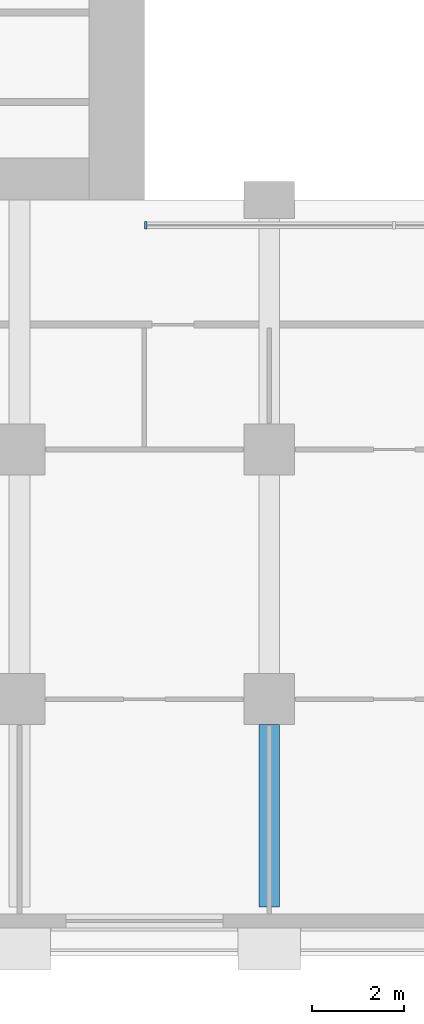
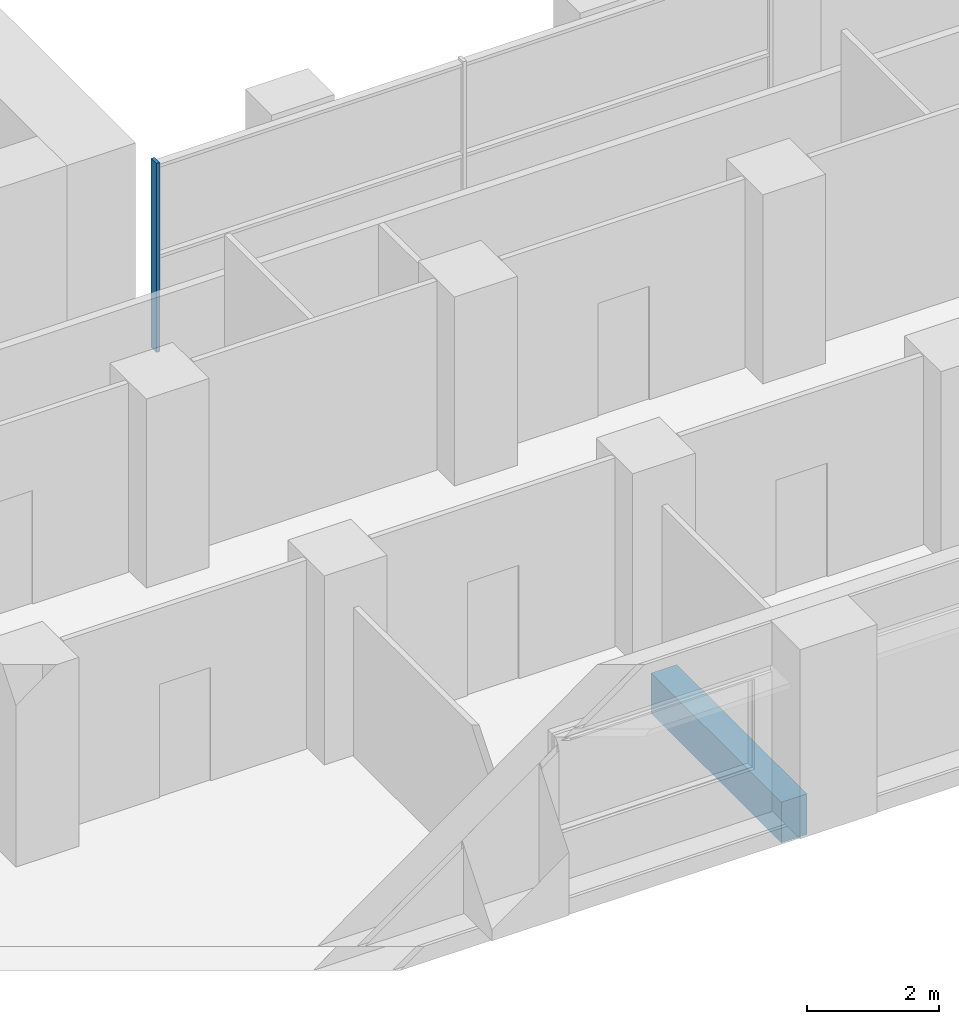
# One storey, part 2 of 14: 1 beam, 1 member, 1 element without a shape of its own.
"""IFC4 building model written with IfcOpenShell, lengths in metres."""

from ifc_helpers import new_model, si_unit, direction, frame, origin, origin_2d, place, context, subcontext, project, spatial, rectangle, extrude, material, material_profile, profile_set, type_object, element, aggregate, save


model = new_model("IFC4")

# Units and contexts
model_context = context("Model", 3, precision=1e-05, world=origin(), true_north=direction((0.0, 1.0)))
body_context = subcontext(model_context, "Body", "Model", "MODEL_VIEW")
ifc_project = project(units=[si_unit("LENGTHUNIT", "METRE"), si_unit("AREAUNIT", "SQUARE_METRE"), si_unit("VOLUMEUNIT", "CUBIC_METRE"), si_unit("PLANEANGLEUNIT", "RADIAN"), si_unit("MASSUNIT", "GRAM", prefix="KILO")], contexts=[model_context])

# Site, building, storey
site_placement = place(None, origin())
site = spatial("IfcSite", under=ifc_project, at=site_placement, CompositionType="ELEMENT")
building_placement = place(site_placement, origin())
building = spatial("IfcBuilding", under=site, at=building_placement, Name="Tabaq Tower and Sports Hall", CompositionType="ELEMENT")
storey_placement = place(building_placement, frame((0.0, 0.0, 52.60009765625)))
storey = spatial("IfcBuildingStorey", under=building, at=storey_placement, Name="L11", CompositionType="ELEMENT", Elevation=52.60009765625)

# Curtain wall, member
ifc_material_1 = material(Name="Aluminium alloy 6063-T6 framed glazing", Category="aluminium")
curtain_wall_type = type_object("IfcCurtainWallType", Name="CW1 curtain wall", PredefinedType="USERDEFINED", material=ifc_material_1)
curtain_wall_placement = place(storey_placement, origin())
curtain_wall = element("IfcCurtainWall", 1, at=curtain_wall_placement, inside=storey, type_object=curtain_wall_type, Name="Atrium glazing L11 S", ObjectType="ATRIUM ENCLOSURE", PredefinedType="USERDEFINED")
ifc_material_2 = material(Name="Aluminium alloy 6063-T6", Category="aluminium")
ifc_material_profile_1 = material_profile(ifc_material_2, rectangle(XDim=0.159912109375, YDim=0.06005859375, at=origin_2d()), Name="MULLION 160x60")
ifc_profile_set_1 = profile_set([ifc_material_profile_1], Name="Aluminium alloy 6063-T6")
member_type = type_object("IfcMemberType", Name="CW1 mullion 160x60", PredefinedType="MULLION", material=ifc_profile_set_1)
member_placement = place(storey_placement, frame((18.929931640625, 15.64990234375, 0.0), z_axis=(0.0, 0.0, 1.0), x_axis=(0.0, 1.0, 0.0)))
member = element("IfcMember", 2, at=member_placement, type_object=member_type, Name="CW1 mullion 1", PredefinedType="MULLION", context=body_context, shape_type="SweptSolid", body=[
    extrude(rectangle(XDim=0.159912109375, YDim=0.06005859375, at=origin_2d()), origin(), (0.0, 0.0, 1.0), 3.5),
])
aggregate(curtain_wall, [member])

# Beam
ifc_material_3 = material(Name="Concrete C40/50", Category="concrete")
ifc_material_profile_2 = material_profile(ifc_material_3, rectangle(XDim=0.449951171875, YDim=0.75, at=origin_2d()), Name="CB 450x750")
ifc_profile_set_2 = profile_set([ifc_material_profile_2], Name="Concrete C40/50")
beam_type = type_object("IfcBeamType", Name="PT CANTILEVER BEAM CB 450x750 C40/50", PredefinedType="BEAM", material=ifc_profile_set_2)
beam_placement = place(storey_placement, frame((21.60009765625, 0.89990234375, -0.675048828125), z_axis=(0.0, 1.0, 0.0), x_axis=(-1.0, 0.0, 0.0)))
element("IfcBeam", 3, at=beam_placement, inside=storey, type_object=beam_type, Name="Cantilever Beam L11 S4 span 1", PredefinedType="BEAM", context=body_context, shape_type="SweptSolid", body=[
    extrude(rectangle(XDim=0.449951171875, YDim=0.75, at=origin_2d()), origin(), (0.0, 0.0, 1.0), 3.9501953125),
])

save(model, "model.ifc")
